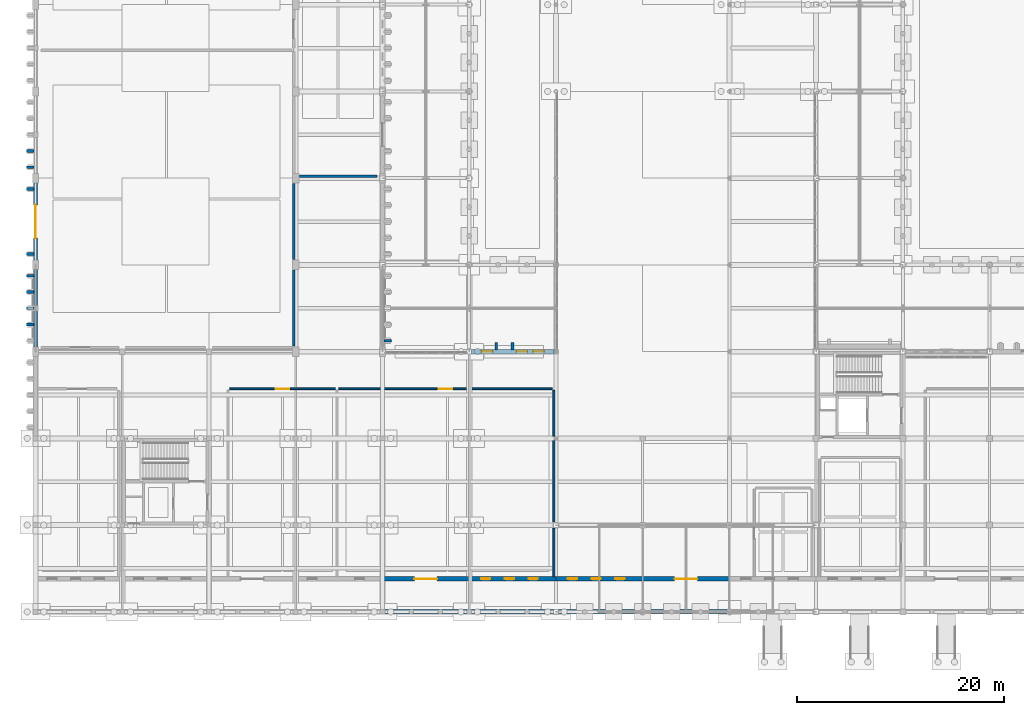
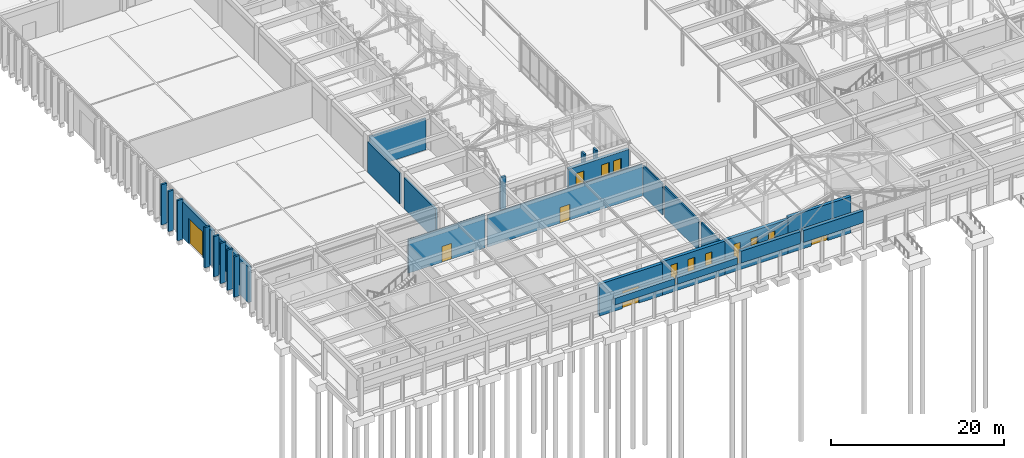
# One storey, part 108 of 143: 30 walls, 9 windows, 5 doors, 14 openings.
"""IFC4 building model written with IfcOpenShell, lengths in metres."""

from ifc_helpers import new_model, si_unit, direction, frame, frame_2d, origin, place, context, subcontext, project, spatial, rectangle, extrude, material, layer, layer_set, type_object, element, fill, save


model = new_model("IFC4")

# Units and contexts
model_context = context("Model", 3, precision=1e-05, world=origin(), true_north=direction((0.0, 1.0)))
body_context = subcontext(model_context, "Body", "Model", "MODEL_VIEW")
ifc_project = project(units=[si_unit("LENGTHUNIT", "METRE"), si_unit("AREAUNIT", "SQUARE_METRE"), si_unit("VOLUMEUNIT", "CUBIC_METRE"), si_unit("PLANEANGLEUNIT", "RADIAN"), si_unit("MASSUNIT", "GRAM", prefix="KILO")], contexts=[model_context])

# Site, building, storey
site_placement = place(None, origin())
site = spatial("IfcSite", under=ifc_project, at=site_placement, CompositionType="ELEMENT")
building_placement = place(site_placement, origin())
building = spatial("IfcBuilding", under=site, at=building_placement, Name="Kveldsbrygga Polytechnic", CompositionType="ELEMENT")
storey_placement = place(building_placement, origin())
storey = spatial("IfcBuildingStorey", under=building, at=storey_placement, Name="L00", CompositionType="ELEMENT", Elevation=0.0)

# Wall
ifc_material_1 = material(Name="Fired clay brick masonry M10", Category="masonry")
ifc_layer_1 = layer(ifc_material_1, 0.419921875)
ifc_layer_set_1 = layer_set([ifc_layer_1], Name="Fired clay brick masonry M10")
wall_type_1 = type_object("IfcWallType", Name="EW-BRICK-420", PredefinedType="SOLIDWALL", material=ifc_layer_set_1)
wall_1_placement = place(storey_placement, frame((0.0, 25.635009765625, 0.0), z_axis=(0.0, 0.0, 1.0), x_axis=(0.0, 1.0, 0.0)))
element("IfcWall", 1, at=wall_1_placement, inside=storey, type_object=wall_type_1, Name="Exterior Brick Wall EW-L00-Y-00-03", PredefinedType="SOLIDWALL", context=body_context, shape_type="SweptSolid", body=[
    extrude(rectangle(XDim=7.530029296875, YDim=0.419921875, at=frame_2d((3.76513671875, 0.0))), origin(), (0.0, 0.0, 1.0), 5.0400390625),
])

# Wall, opening, door
wall_2_placement = place(storey_placement, frame((0.0, 34.034912109375, 0.0), z_axis=(0.0, 0.0, 1.0), x_axis=(0.0, 1.0, 0.0)))
wall_2 = element("IfcWall", 2, at=wall_2_placement, inside=storey, type_object=wall_type_1, Name="Exterior Brick Wall EW-L00-Y-00-04", PredefinedType="SOLIDWALL", context=body_context, shape_type="SweptSolid", body=[
    extrude(rectangle(XDim=7.530029296875, YDim=0.419921875, at=frame_2d((3.76513671875, 0.0))), origin(), (0.0, 0.0, 1.0), 5.0400390625),
])
opening_1_placement = place(wall_2_placement, frame((2.1650390625, 0.0, 0.0)))
opening_1 = element("IfcOpeningElement", 3, at=opening_1_placement, cuts=wall_2, Name="Opening WG-01", PredefinedType="OPENING", context=body_context, shape_type="SweptSolid", body=[
    extrude(rectangle(XDim=3.199951171875, YDim=3.60009765625, at=frame_2d((1.60009765625, 1.800048828125))), frame((0.0, 0.219970703125, 0.0), z_axis=(0.0, -1.0, 0.0), x_axis=(1.0, 0.0, 0.0)), (0.0, 0.0, 1.0), 0.43994140625),
])
ifc_material_2 = material(Name="Anodised aluminium AW-6060", Category="aluminium")
door_type_1 = type_object("IfcDoorType", Name="GT-WORK-320x360", OperationType="DOUBLE_DOOR_SINGLE_SWING", PredefinedType="GATE", material=ifc_material_2)
door_1_placement = place(opening_1_placement, origin())
door_1 = element("IfcDoor", 4, at=door_1_placement, inside=storey, type_object=door_type_1, Name="Workshop Industrial Gate WG-01", OperationType="DOUBLE_DOOR_SINGLE_SWING", OverallHeight=3.60009765625, OverallWidth=3.199951171875, PredefinedType="GATE", context=body_context, shape_type="SweptSolid", body=[
    extrude(rectangle(XDim=3.199951171875, YDim=3.60009765625, at=frame_2d((1.60009765625, 1.800048828125))), frame((0.0, 0.02490234375, 0.0), z_axis=(0.0, -1.0, 0.0), x_axis=(1.0, 0.0, 0.0)), (0.0, 0.0, 1.0), 0.050048828125),
])
fill(opening_1, door_1)

wall_3_placement = place(storey_placement, frame((33.60009765625, 3.199951171875, 0.0), z_axis=(0.0, 0.0, 1.0), x_axis=(1.0, 0.0, 0.0)))
wall_3 = element("IfcWall", 5, at=wall_3_placement, inside=storey, type_object=wall_type_1, Name="Colonnade Recessed Ground Wall EW-L00-X-04-00", PredefinedType="SOLIDWALL", context=body_context, shape_type="SweptSolid", body=[
    extrude(rectangle(XDim=8.39990234375, YDim=0.419921875, at=frame_2d((4.199951171875, 0.0))), origin(), (0.0, 0.0, 1.0), 4.489990234375),
])
opening_2_placement = place(wall_3_placement, frame((3.10009765625, 0.0, 0.0)))
opening_2 = element("IfcOpeningElement", 6, at=opening_2_placement, cuts=wall_3, Name="Opening ED-04", PredefinedType="OPENING", context=body_context, shape_type="SweptSolid", body=[
    extrude(rectangle(XDim=2.199951171875, YDim=2.39990234375, at=frame_2d((1.10009765625, 1.199951171875))), frame((0.0, 0.219970703125, 0.0), z_axis=(0.0, -1.0, 0.0), x_axis=(1.0, 0.0, 0.0)), (0.0, 0.0, 1.0), 0.43994140625),
])
door_type_2 = type_object("IfcDoorType", Name="ED-MAIN-220x240", OperationType="DOUBLE_DOOR_SINGLE_SWING", PredefinedType="DOOR", material=ifc_material_2)
door_2_placement = place(opening_2_placement, origin())
door_2 = element("IfcDoor", 7, at=door_2_placement, inside=storey, type_object=door_type_2, Name="Colonnade Entrance Door ED-04", OperationType="DOUBLE_DOOR_SINGLE_SWING", OverallHeight=2.39990234375, OverallWidth=2.199951171875, PredefinedType="DOOR", context=body_context, shape_type="SweptSolid", body=[
    extrude(rectangle(XDim=2.199951171875, YDim=2.39990234375, at=frame_2d((1.10009765625, 1.199951171875))), frame((0.0, 0.02490234375, 0.0), z_axis=(0.0, -1.0, 0.0), x_axis=(1.0, 0.0, 0.0)), (0.0, 0.0, 1.0), 0.050048828125),
])
fill(opening_2, door_2)

# Wall, openings, windows
wall_4_placement = place(storey_placement, frame((42.0, 3.199951171875, 0.0), z_axis=(0.0, 0.0, 1.0), x_axis=(1.0, 0.0, 0.0)))
wall_4 = element("IfcWall", 8, at=wall_4_placement, inside=storey, type_object=wall_type_1, Name="Colonnade Recessed Ground Wall EW-L00-X-05-00", PredefinedType="SOLIDWALL", context=body_context, shape_type="SweptSolid", body=[
    extrude(rectangle(XDim=8.39990234375, YDim=0.419921875, at=frame_2d((4.199951171875, 0.0))), origin(), (0.0, 0.0, 1.0), 4.739990234375),
])
opening_3_placement = place(wall_4_placement, frame((1.14990234375, 0.0, 0.85009765625)))
opening_3 = element("IfcOpeningElement", 9, at=opening_3_placement, cuts=wall_4, Name="Opening W-19", PredefinedType="OPENING", context=body_context, shape_type="SweptSolid", body=[
    extrude(rectangle(XDim=0.89990234375, YDim=3.0, at=frame_2d((0.449951171875, 1.5))), frame((0.0, 0.219970703125, 0.0), z_axis=(0.0, -1.0, 0.0), x_axis=(1.0, 0.0, 0.0)), (0.0, 0.0, 1.0), 0.43994140625),
])
opening_4_placement = place(wall_4_placement, frame((3.449951171875, 0.0, 0.85009765625)))
opening_4 = element("IfcOpeningElement", 10, at=opening_4_placement, cuts=wall_4, Name="Opening W-19", PredefinedType="OPENING", context=body_context, shape_type="SweptSolid", body=[
    extrude(rectangle(XDim=0.89990234375, YDim=3.0, at=frame_2d((0.449951171875, 1.5))), frame((0.0, 0.219970703125, 0.0), z_axis=(0.0, -1.0, 0.0), x_axis=(1.0, 0.0, 0.0)), (0.0, 0.0, 1.0), 0.43994140625),
])
opening_5_placement = place(wall_4_placement, frame((5.75, 0.0, 0.85009765625)))
opening_5 = element("IfcOpeningElement", 11, at=opening_5_placement, cuts=wall_4, Name="Opening W-19", PredefinedType="OPENING", context=body_context, shape_type="SweptSolid", body=[
    extrude(rectangle(XDim=0.89990234375, YDim=3.0, at=frame_2d((0.449951171875, 1.5))), frame((0.0, 0.219970703125, 0.0), z_axis=(0.0, -1.0, 0.0), x_axis=(1.0, 0.0, 0.0)), (0.0, 0.0, 1.0), 0.43994140625),
])
ifc_material_3 = material(Name="Insulated triple low-E glass", Category="glass")
window_type_1 = type_object("IfcWindowType", Name="WN-LANC-090x300", PartitioningType="DOUBLE_PANEL_VERTICAL", PredefinedType="WINDOW", material=ifc_material_3)
window_1_placement = place(opening_3_placement, origin())
window_1 = element("IfcWindow", 12, at=window_1_placement, inside=storey, type_object=window_type_1, Name="Colonnade Lancet Window WIN-L00-X-05-00-1", OverallHeight=3.0, OverallWidth=0.89990234375, PartitioningType="DOUBLE_PANEL_VERTICAL", PredefinedType="WINDOW", context=body_context, shape_type="SweptSolid", body=[
    extrude(rectangle(XDim=0.89990234375, YDim=3.0, at=frame_2d((0.449951171875, 1.5))), frame((0.0, 0.030029296875, 0.0), z_axis=(0.0, -1.0, 0.0), x_axis=(1.0, 0.0, 0.0)), (0.0, 0.0, 1.0), 0.06005859375),
])
fill(opening_3, window_1)
window_2_placement = place(opening_4_placement, origin())
window_2 = element("IfcWindow", 13, at=window_2_placement, inside=storey, type_object=window_type_1, Name="Colonnade Lancet Window WIN-L00-X-05-00-2", OverallHeight=3.0, OverallWidth=0.89990234375, PartitioningType="DOUBLE_PANEL_VERTICAL", PredefinedType="WINDOW", context=body_context, shape_type="SweptSolid", body=[
    extrude(rectangle(XDim=0.89990234375, YDim=3.0, at=frame_2d((0.449951171875, 1.5))), frame((0.0, 0.030029296875, 0.0), z_axis=(0.0, -1.0, 0.0), x_axis=(1.0, 0.0, 0.0)), (0.0, 0.0, 1.0), 0.06005859375),
])
fill(opening_4, window_2)
window_3_placement = place(opening_5_placement, origin())
window_3 = element("IfcWindow", 14, at=window_3_placement, inside=storey, type_object=window_type_1, Name="Colonnade Lancet Window WIN-L00-X-05-00-3", OverallHeight=3.0, OverallWidth=0.89990234375, PartitioningType="DOUBLE_PANEL_VERTICAL", PredefinedType="WINDOW", context=body_context, shape_type="SweptSolid", body=[
    extrude(rectangle(XDim=0.89990234375, YDim=3.0, at=frame_2d((0.449951171875, 1.5))), frame((0.0, 0.030029296875, 0.0), z_axis=(0.0, -1.0, 0.0), x_axis=(1.0, 0.0, 0.0)), (0.0, 0.0, 1.0), 0.06005859375),
])
fill(opening_5, window_3)

wall_5_placement = place(storey_placement, frame((42.2099609375, 25.199951171875, 0.0), z_axis=(0.0, 0.0, 1.0), x_axis=(1.0, 0.0, 0.0)))
wall_5 = element("IfcWall", 15, at=wall_5_placement, inside=storey, type_object=wall_type_1, Name="Exterior Brick Wall EW-L00-X-05-03", PredefinedType="SOLIDWALL", context=body_context, shape_type="SweptSolid", body=[
    extrude(rectangle(XDim=8.04296875, YDim=0.419921875, at=frame_2d((4.021484375, 0.0))), origin(), (0.0, 0.0, 1.0), 4.389892578125),
])
opening_6_placement = place(wall_5_placement, frame((0.998291015625, 0.0, 0.75)))
opening_6 = element("IfcOpeningElement", 16, at=opening_6_placement, cuts=wall_5, Name="Opening W-38", PredefinedType="OPENING", context=body_context, shape_type="SweptSolid", body=[
    extrude(rectangle(XDim=1.06005859375, YDim=2.699951171875, at=frame_2d((0.530029296875, 1.35009765625))), frame((0.0, 0.219970703125, 0.0), z_axis=(0.0, -1.0, 0.0), x_axis=(1.0, 0.0, 0.0)), (0.0, 0.0, 1.0), 0.43994140625),
])
opening_7_placement = place(wall_5_placement, frame((4.376220703125, 0.0, 0.75)))
opening_7 = element("IfcOpeningElement", 17, at=opening_7_placement, cuts=wall_5, Name="Opening W-38", PredefinedType="OPENING", context=body_context, shape_type="SweptSolid", body=[
    extrude(rectangle(XDim=1.06005859375, YDim=2.699951171875, at=frame_2d((0.530029296875, 1.35009765625))), frame((0.0, 0.219970703125, 0.0), z_axis=(0.0, -1.0, 0.0), x_axis=(1.0, 0.0, 0.0)), (0.0, 0.0, 1.0), 0.43994140625),
])
opening_8_placement = place(wall_5_placement, frame((5.98486328125, 0.0, 0.75)))
opening_8 = element("IfcOpeningElement", 18, at=opening_8_placement, cuts=wall_5, Name="Opening W-38", PredefinedType="OPENING", context=body_context, shape_type="SweptSolid", body=[
    extrude(rectangle(XDim=1.06005859375, YDim=2.699951171875, at=frame_2d((0.530029296875, 1.35009765625))), frame((0.0, 0.219970703125, 0.0), z_axis=(0.0, -1.0, 0.0), x_axis=(1.0, 0.0, 0.0)), (0.0, 0.0, 1.0), 0.43994140625),
])
window_type_2 = type_object("IfcWindowType", Name="WN-LANC-106x270", PartitioningType="DOUBLE_PANEL_VERTICAL", PredefinedType="WINDOW", material=ifc_material_3)
window_4_placement = place(opening_6_placement, origin())
window_4 = element("IfcWindow", 19, at=window_4_placement, inside=storey, type_object=window_type_2, Name="Gothic Lancet Window WIN-L00-X-05-03-1", OverallHeight=2.699951171875, OverallWidth=1.06005859375, PartitioningType="DOUBLE_PANEL_VERTICAL", PredefinedType="WINDOW", context=body_context, shape_type="SweptSolid", body=[
    extrude(rectangle(XDim=1.06005859375, YDim=2.699951171875, at=frame_2d((0.530029296875, 1.35009765625))), frame((0.0, 0.030029296875, 0.0), z_axis=(0.0, -1.0, 0.0), x_axis=(1.0, 0.0, 0.0)), (0.0, 0.0, 1.0), 0.06005859375),
])
fill(opening_6, window_4)
window_5_placement = place(opening_7_placement, origin())
window_5 = element("IfcWindow", 20, at=window_5_placement, inside=storey, type_object=window_type_2, Name="Gothic Lancet Window WIN-L00-X-05-03-3", OverallHeight=2.699951171875, OverallWidth=1.06005859375, PartitioningType="DOUBLE_PANEL_VERTICAL", PredefinedType="WINDOW", context=body_context, shape_type="SweptSolid", body=[
    extrude(rectangle(XDim=1.06005859375, YDim=2.699951171875, at=frame_2d((0.530029296875, 1.35009765625))), frame((0.0, 0.030029296875, 0.0), z_axis=(0.0, -1.0, 0.0), x_axis=(1.0, 0.0, 0.0)), (0.0, 0.0, 1.0), 0.06005859375),
])
fill(opening_7, window_5)
window_6_placement = place(opening_8_placement, origin())
window_6 = element("IfcWindow", 21, at=window_6_placement, inside=storey, type_object=window_type_2, Name="Gothic Lancet Window WIN-L00-X-05-03-4", OverallHeight=2.699951171875, OverallWidth=1.06005859375, PartitioningType="DOUBLE_PANEL_VERTICAL", PredefinedType="WINDOW", context=body_context, shape_type="SweptSolid", body=[
    extrude(rectangle(XDim=1.06005859375, YDim=2.699951171875, at=frame_2d((0.530029296875, 1.35009765625))), frame((0.0, 0.030029296875, 0.0), z_axis=(0.0, -1.0, 0.0), x_axis=(1.0, 0.0, 0.0)), (0.0, 0.0, 1.0), 0.06005859375),
])
fill(opening_8, window_6)

wall_6_placement = place(storey_placement, frame((50.39990234375, 3.199951171875, 0.0), z_axis=(0.0, 0.0, 1.0), x_axis=(1.0, 0.0, 0.0)))
wall_6 = element("IfcWall", 22, at=wall_6_placement, inside=storey, type_object=wall_type_1, Name="Colonnade Recessed Ground Wall EW-L00-X-06-00", PredefinedType="SOLIDWALL", context=body_context, shape_type="SweptSolid", body=[
    extrude(rectangle(XDim=8.400146484375, YDim=0.419921875, at=frame_2d((4.2001953125, 0.0))), origin(), (0.0, 0.0, 1.0), 4.830078125),
])
opening_9_placement = place(wall_6_placement, frame((1.14990234375, 0.0, 0.85009765625)))
opening_9 = element("IfcOpeningElement", 23, at=opening_9_placement, cuts=wall_6, Name="Opening W-19", PredefinedType="OPENING", context=body_context, shape_type="SweptSolid", body=[
    extrude(rectangle(XDim=0.89990234375, YDim=3.0, at=frame_2d((0.449951171875, 1.5))), frame((0.0, 0.219970703125, 0.0), z_axis=(0.0, -1.0, 0.0), x_axis=(1.0, 0.0, 0.0)), (0.0, 0.0, 1.0), 0.43994140625),
])
opening_10_placement = place(wall_6_placement, frame((3.449951171875, 0.0, 0.85009765625)))
opening_10 = element("IfcOpeningElement", 24, at=opening_10_placement, cuts=wall_6, Name="Opening W-19", PredefinedType="OPENING", context=body_context, shape_type="SweptSolid", body=[
    extrude(rectangle(XDim=0.89990234375, YDim=3.0, at=frame_2d((0.449951171875, 1.5))), frame((0.0, 0.219970703125, 0.0), z_axis=(0.0, -1.0, 0.0), x_axis=(1.0, 0.0, 0.0)), (0.0, 0.0, 1.0), 0.43994140625),
])
opening_11_placement = place(wall_6_placement, frame((5.75, 0.0, 0.85009765625)))
opening_11 = element("IfcOpeningElement", 25, at=opening_11_placement, cuts=wall_6, Name="Opening W-19", PredefinedType="OPENING", context=body_context, shape_type="SweptSolid", body=[
    extrude(rectangle(XDim=0.89990234375, YDim=3.0, at=frame_2d((0.449951171875, 1.5))), frame((0.0, 0.219970703125, 0.0), z_axis=(0.0, -1.0, 0.0), x_axis=(1.0, 0.0, 0.0)), (0.0, 0.0, 1.0), 0.43994140625),
])
window_7_placement = place(opening_9_placement, origin())
window_7 = element("IfcWindow", 26, at=window_7_placement, inside=storey, type_object=window_type_1, Name="Colonnade Lancet Window WIN-L00-X-06-00-1", OverallHeight=3.0, OverallWidth=0.89990234375, PartitioningType="DOUBLE_PANEL_VERTICAL", PredefinedType="WINDOW", context=body_context, shape_type="SweptSolid", body=[
    extrude(rectangle(XDim=0.89990234375, YDim=3.0, at=frame_2d((0.449951171875, 1.5))), frame((0.0, 0.030029296875, 0.0), z_axis=(0.0, -1.0, 0.0), x_axis=(1.0, 0.0, 0.0)), (0.0, 0.0, 1.0), 0.06005859375),
])
fill(opening_9, window_7)
window_8_placement = place(opening_10_placement, origin())
window_8 = element("IfcWindow", 27, at=window_8_placement, inside=storey, type_object=window_type_1, Name="Colonnade Lancet Window WIN-L00-X-06-00-2", OverallHeight=3.0, OverallWidth=0.89990234375, PartitioningType="DOUBLE_PANEL_VERTICAL", PredefinedType="WINDOW", context=body_context, shape_type="SweptSolid", body=[
    extrude(rectangle(XDim=0.89990234375, YDim=3.0, at=frame_2d((0.449951171875, 1.5))), frame((0.0, 0.030029296875, 0.0), z_axis=(0.0, -1.0, 0.0), x_axis=(1.0, 0.0, 0.0)), (0.0, 0.0, 1.0), 0.06005859375),
])
fill(opening_10, window_8)
window_9_placement = place(opening_11_placement, origin())
window_9 = element("IfcWindow", 28, at=window_9_placement, inside=storey, type_object=window_type_1, Name="Colonnade Lancet Window WIN-L00-X-06-00-3", OverallHeight=3.0, OverallWidth=0.89990234375, PartitioningType="DOUBLE_PANEL_VERTICAL", PredefinedType="WINDOW", context=body_context, shape_type="SweptSolid", body=[
    extrude(rectangle(XDim=0.89990234375, YDim=3.0, at=frame_2d((0.449951171875, 1.5))), frame((0.0, 0.030029296875, 0.0), z_axis=(0.0, -1.0, 0.0), x_axis=(1.0, 0.0, 0.0)), (0.0, 0.0, 1.0), 0.06005859375),
])
fill(opening_11, window_9)

# Wall, opening, door
wall_7_placement = place(storey_placement, frame((58.800048828125, 3.199951171875, 0.0), z_axis=(0.0, 0.0, 1.0), x_axis=(1.0, 0.0, 0.0)))
wall_7 = element("IfcWall", 29, at=wall_7_placement, inside=storey, type_object=wall_type_1, Name="Colonnade Recessed Ground Wall EW-L00-X-07-00", PredefinedType="SOLIDWALL", context=body_context, shape_type="SweptSolid", body=[
    extrude(rectangle(XDim=8.39990234375, YDim=0.419921875, at=frame_2d((4.199951171875, 0.0))), origin(), (0.0, 0.0, 1.0), 5.139892578125),
])
opening_12_placement = place(wall_7_placement, frame((3.10009765625, 0.0, 0.0)))
opening_12 = element("IfcOpeningElement", 30, at=opening_12_placement, cuts=wall_7, Name="Opening ED-06", PredefinedType="OPENING", context=body_context, shape_type="SweptSolid", body=[
    extrude(rectangle(XDim=2.199951171875, YDim=2.39990234375, at=frame_2d((1.10009765625, 1.199951171875))), frame((0.0, 0.219970703125, 0.0), z_axis=(0.0, -1.0, 0.0), x_axis=(1.0, 0.0, 0.0)), (0.0, 0.0, 1.0), 0.43994140625),
])
door_3_placement = place(opening_12_placement, origin())
door_3 = element("IfcDoor", 31, at=door_3_placement, inside=storey, type_object=door_type_2, Name="Colonnade Entrance Door ED-06", OperationType="DOUBLE_DOOR_SINGLE_SWING", OverallHeight=2.39990234375, OverallWidth=2.199951171875, PredefinedType="DOOR", context=body_context, shape_type="SweptSolid", body=[
    extrude(rectangle(XDim=2.199951171875, YDim=2.39990234375, at=frame_2d((1.10009765625, 1.199951171875))), frame((0.0, 0.02490234375, 0.0), z_axis=(0.0, -1.0, 0.0), x_axis=(1.0, 0.0, 0.0)), (0.0, 0.0, 1.0), 0.050048828125),
])
fill(opening_12, door_3)

# Walls
ifc_layer_2 = layer(ifc_material_1, 0.260009765625)
ifc_layer_set_2 = layer_set([ifc_layer_2], Name="Fired clay brick masonry M10")
wall_type_2 = type_object("IfcWallType", Name="EW-BUTT-260", PredefinedType="SOLIDWALL", material=ifc_layer_set_2)
for number, where, z_axis, x_axis, name in (
    (32, (-0.1650390625, 27.820068359375, -0.25), (0.0, 0.0, 1.0), (-1.0, 0.0, 0.0), "Gothic Brick Buttress Pier BUTT-L00-Y-00-03-2"),
    (33, (-0.1650390625, 29.39990234375, -0.25), (0.0, 0.0, 1.0), (-1.0, 0.0, 0.0), "Gothic Brick Buttress Pier BUTT-L00-Y-00-03-3"),
    (34, (-0.1650390625, 30.97998046875, -0.25), (0.0, 0.0, 1.0), (-1.0, 0.0, 0.0), "Gothic Brick Buttress Pier BUTT-L00-Y-00-03-4"),
    (35, (-0.1650390625, 32.550048828125, -0.25), (0.0, 0.0, 1.0), (-1.0, 0.0, 0.0), "Gothic Brick Buttress Pier BUTT-L00-Y-00-03-5"),
    (36, (-0.1650390625, 34.64990234375, -0.25), (0.0, 0.0, 1.0), (-1.0, 0.0, 0.0), "Gothic Brick Buttress Pier BUTT-L00-Y-00-04-1"),
    (37, (-0.1650390625, 40.949951171875, -0.25), (0.0, 0.0, 1.0), (-1.0, 0.0, 0.0), "Gothic Brick Buttress Pier BUTT-L00-Y-00-04-5"),
    (38, (-0.1650390625, 43.050048828125, -0.25), (0.0, 0.0, 1.0), (-1.0, 0.0, 0.0), "Gothic Brick Buttress Pier BUTT-L00-Y-00-05-1"),
    (39, (-0.1650390625, 44.6201171875, -0.25), (0.0, 0.0, 1.0), (-1.0, 0.0, 0.0), "Gothic Brick Buttress Pier BUTT-L00-Y-00-05-2"),
):
    element("IfcWall", number, at=place(storey_placement, frame(where, z_axis=z_axis, x_axis=x_axis)), inside=storey, type_object=wall_type_2, Name=name, PredefinedType="SOLIDWALL", context=body_context, shape_type="SweptSolid", body=[
        extrude(rectangle(XDim=0.699951171875, YDim=0.260009765625, at=frame_2d((0.35009765625, 0.0))), origin(), (0.0, 0.0, 1.0), 5.68994140625),
    ])
wall_8_placement = place(storey_placement, frame((33.764892578125, 26.25, -0.25), z_axis=(0.0, 0.0, 1.0), x_axis=(1.0, 0.0, 0.0)))
element("IfcWall", 40, at=wall_8_placement, inside=storey, type_object=wall_type_2, Name="Gothic Brick Buttress Pier BUTT-L00-Y-04-03-1", PredefinedType="SOLIDWALL", context=body_context, shape_type="SweptSolid", body=[
    extrude(rectangle(XDim=0.7001953125, YDim=0.260009765625, at=frame_2d((0.35009765625, 0.0))), origin(), (0.0, 0.0, 1.0), 5.68994140625),
])
for number, where, z_axis, x_axis, name in (
    (41, (44.6201171875, 25.364990234375, -0.320068359375), (0.0, 0.0, 1.0), (0.0, 1.0, 0.0), "Gothic Brick Buttress Pier BUTT-L00-X-05-03-2"),
    (42, (46.199951171875, 25.364990234375, -0.320068359375), (0.0, 0.0, 1.0), (0.0, 1.0, 0.0), "Gothic Brick Buttress Pier BUTT-L00-X-05-03-3"),
):
    element("IfcWall", number, at=place(storey_placement, frame(where, z_axis=z_axis, x_axis=x_axis)), inside=storey, type_object=wall_type_2, Name=name, PredefinedType="SOLIDWALL", context=body_context, shape_type="SweptSolid", body=[
        extrude(rectangle(XDim=0.699951171875, YDim=0.260009765625, at=frame_2d((0.35009765625, 0.0))), origin(), (0.0, 0.0, 1.0), 5.760009765625),
    ])
ifc_material_4 = material(Name="Iddefjord granite ashlar", Category="masonry")
ifc_layer_3 = layer(ifc_material_4, 0.449951171875)
ifc_layer_set_3 = layer_set([ifc_layer_3], Name="Iddefjord granite ashlar")
wall_type_3 = type_object("IfcWallType", Name="EW-GRAN-450", PredefinedType="SOLIDWALL", material=ifc_layer_set_3)
wall_9_placement = place(storey_placement, frame((33.81005859375, 0.0, 3.455078125), z_axis=(0.0, 0.0, 1.0), x_axis=(1.0, 0.0, 0.0)))
element("IfcWall", 43, at=wall_9_placement, inside=storey, type_object=wall_type_3, Name="Harbour Colonnade Granite Arch Header EW-PROM-HDR-04", PredefinedType="SOLIDWALL", context=body_context, shape_type="SweptSolid", body=[
    extrude(rectangle(XDim=7.994873046875, YDim=0.449951171875, at=frame_2d((3.99755859375, 0.0))), origin(), (0.0, 0.0, 1.0), 0.94482421875),
])
wall_10_placement = place(storey_placement, frame((42.195068359375, 0.0, 3.455078125), z_axis=(0.0, 0.0, 1.0), x_axis=(1.0, 0.0, 0.0)))
element("IfcWall", 44, at=wall_10_placement, inside=storey, type_object=wall_type_3, Name="Harbour Colonnade Granite Arch Header EW-PROM-HDR-05", PredefinedType="SOLIDWALL", context=body_context, shape_type="SweptSolid", body=[
    extrude(rectangle(XDim=7.97998046875, YDim=0.449951171875, at=frame_2d((3.989990234375, 0.0))), origin(), (0.0, 0.0, 1.0), 0.94482421875),
])
wall_11_placement = place(storey_placement, frame((50.625, 0.0, 3.455078125), z_axis=(0.0, 0.0, 1.0), x_axis=(1.0, 0.0, 0.0)))
element("IfcWall", 45, at=wall_11_placement, inside=storey, type_object=wall_type_3, Name="Harbour Colonnade Granite Arch Header EW-PROM-HDR-06", PredefinedType="SOLIDWALL", context=body_context, shape_type="SweptSolid", body=[
    extrude(rectangle(XDim=7.97998046875, YDim=0.449951171875, at=frame_2d((3.989990234375, 0.0))), origin(), (0.0, 0.0, 1.0), 1.684814453125),
])
wall_12_placement = place(storey_placement, frame((58.9951171875, 0.0, 3.455078125), z_axis=(0.0, 0.0, 1.0), x_axis=(1.0, 0.0, 0.0)))
element("IfcWall", 46, at=wall_12_placement, inside=storey, type_object=wall_type_3, Name="Harbour Colonnade Granite Arch Header EW-PROM-HDR-07", PredefinedType="SOLIDWALL", context=body_context, shape_type="SweptSolid", body=[
    extrude(rectangle(XDim=7.994873046875, YDim=0.449951171875, at=frame_2d((3.99755859375, 0.0))), origin(), (0.0, 0.0, 1.0), 1.684814453125),
])
ifc_layer_4 = layer(ifc_material_1, 0.239990234375)
ifc_layer_set_4 = layer_set([ifc_layer_4], Name="Fired clay brick masonry M10")
wall_type_4 = type_object("IfcWallType", Name="IW-COMP-240", PredefinedType="PARTITIONING", material=ifc_layer_set_4)
wall_13_placement = place(storey_placement, frame((25.0, 25.75, 0.0), z_axis=(0.0, 0.0, 1.0), x_axis=(0.0, 1.0, 0.0)))
element("IfcWall", 47, at=wall_13_placement, inside=storey, type_object=wall_type_4, Name="Partition Wall IW-SP-L00-WK1-E1", PredefinedType="PARTITIONING", context=body_context, shape_type="SweptSolid", body=[
    extrude(rectangle(XDim=7.340087890625, YDim=0.239990234375, at=frame_2d((3.669921875, 0.0))), origin(), (0.0, 0.0, 1.0), 4.35009765625),
])
wall_14_placement = place(storey_placement, frame((25.0, 34.110107421875, 0.0), z_axis=(0.0, 0.0, 1.0), x_axis=(0.0, 1.0, 0.0)))
element("IfcWall", 48, at=wall_14_placement, inside=storey, type_object=wall_type_4, Name="Partition Wall IW-SP-L00-WK1-E2", PredefinedType="PARTITIONING", context=body_context, shape_type="SweptSolid", body=[
    extrude(rectangle(XDim=7.3798828125, YDim=0.239990234375, at=frame_2d((3.68994140625, 0.0))), origin(), (0.0, 0.0, 1.0), 4.35009765625),
])
wall_15_placement = place(storey_placement, frame((25.550048828125, 42.199951171875, 0.0), z_axis=(0.0, 0.0, 1.0), x_axis=(1.0, 0.0, 0.0)))
element("IfcWall", 49, at=wall_15_placement, inside=storey, type_object=wall_type_4, Name="Partition Wall IW-SP-L00-WKPREP-S1", PredefinedType="PARTITIONING", context=body_context, shape_type="SweptSolid", body=[
    extrude(rectangle(XDim=7.5, YDim=0.239990234375, at=frame_2d((3.75, 0.0))), origin(), (0.0, 0.0, 1.0), 4.419921875),
])

# Wall, opening, door
ifc_material_5 = material(Name="Gypsum acoustic stud partition")
ifc_layer_5 = layer(ifc_material_5, 0.179931640625)
ifc_layer_set_5 = layer_set([ifc_layer_5], Name="Gypsum acoustic stud partition")
wall_type_5 = type_object("IfcWallType", Name="IW-CORR-180", PredefinedType="PARTITIONING", material=ifc_layer_set_5)
wall_16_placement = place(storey_placement, frame((29.3798828125, 21.60009765625, 0.0), z_axis=(0.0, 0.0, 1.0), x_axis=(1.0, 0.0, 0.0)))
wall_16 = element("IfcWall", 50, at=wall_16_placement, inside=storey, type_object=wall_type_5, Name="Partition Wall IW-SP-L00-BOOK-N1", PredefinedType="PARTITIONING", context=body_context, shape_type="SweptSolid", body=[
    extrude(rectangle(XDim=20.670166015625, YDim=0.179931640625, at=frame_2d((10.3349609375, 0.0))), origin(), (0.0, 0.0, 1.0), 4.489990234375),
])
opening_13_placement = place(wall_16_placement, frame((9.68505859375, 0.0, 0.0)))
opening_13 = element("IfcOpeningElement", 51, at=opening_13_placement, cuts=wall_16, Name="Opening ID-L00-023", PredefinedType="OPENING", context=body_context, shape_type="SweptSolid", body=[
    extrude(rectangle(XDim=1.300048828125, YDim=2.199951171875, at=frame_2d((0.64990234375, 1.10009765625))), frame((0.0, 0.10009765625, 0.0), z_axis=(0.0, -1.0, 0.0), x_axis=(1.0, 0.0, 0.0)), (0.0, 0.0, 1.0), 0.199951171875),
])
ifc_material_6 = material(Name="Acoustic oak timber", Category="wood")
door_type_3 = type_object("IfcDoorType", Name="ID-STD-130x220", OperationType="NOTDEFINED", PredefinedType="DOOR", material=ifc_material_6)
door_4_placement = place(opening_13_placement, origin())
door_4 = element("IfcDoor", 52, at=door_4_placement, inside=storey, type_object=door_type_3, Name="Interior Door ID-L00-023", OperationType="SINGLE_SWING_RIGHT", OverallHeight=2.199951171875, OverallWidth=1.300048828125, PredefinedType="DOOR", context=body_context, shape_type="SweptSolid", body=[
    extrude(rectangle(XDim=1.300048828125, YDim=2.199951171875, at=frame_2d((0.64990234375, 1.10009765625))), frame((0.0, 0.02490234375, 0.0), z_axis=(0.0, -1.0, 0.0), x_axis=(1.0, 0.0, 0.0)), (0.0, 0.0, 1.0), 0.050048828125),
])
fill(opening_13, door_4)

# Walls
wall_17_placement = place(storey_placement, frame((50.199951171875, 3.3798828125, 0.0), z_axis=(0.0, 0.0, 1.0), x_axis=(0.0, 1.0, 0.0)))
element("IfcWall", 53, at=wall_17_placement, inside=storey, type_object=wall_type_5, Name="Partition Wall IW-SP-L00-BOOK-E1", PredefinedType="PARTITIONING", context=body_context, shape_type="SweptSolid", body=[
    extrude(rectangle(XDim=4.7001953125, YDim=0.179931640625, at=frame_2d((2.35009765625, 0.0))), origin(), (0.0, 0.0, 1.0), 4.389892578125),
])
wall_18_placement = place(storey_placement, frame((50.199951171875, 8.719970703125, 0.0), z_axis=(0.0, 0.0, 1.0), x_axis=(0.0, 1.0, 0.0)))
element("IfcWall", 54, at=wall_18_placement, inside=storey, type_object=wall_type_5, Name="Partition Wall IW-SP-L00-BOOK-E2", PredefinedType="PARTITIONING", context=body_context, shape_type="SweptSolid", body=[
    extrude(rectangle(XDim=7.85791015625, YDim=0.179931640625, at=frame_2d((3.928955078125, 0.0))), origin(), (0.0, 0.0, 1.0), 4.360107421875),
])
wall_19_placement = place(storey_placement, frame((50.199951171875, 17.02197265625, 0.0), z_axis=(0.0, 0.0, 1.0), x_axis=(0.0, 1.0, 0.0)))
element("IfcWall", 55, at=wall_19_placement, inside=storey, type_object=wall_type_5, Name="Partition Wall IW-SP-L00-BOOK-E3", PredefinedType="PARTITIONING", context=body_context, shape_type="SweptSolid", body=[
    extrude(rectangle(XDim=4.427978515625, YDim=0.179931640625, at=frame_2d((2.2138671875, 0.0))), origin(), (0.0, 0.0, 1.0), 4.360107421875),
])

# Wall, opening, door
ifc_layer_6 = layer(ifc_material_5, 0.159912109375)
ifc_layer_set_6 = layer_set([ifc_layer_6], Name="Gypsum acoustic stud partition")
wall_type_6 = type_object("IfcWallType", Name="IW-STD-160", PredefinedType="PARTITIONING", material=ifc_layer_set_6)
wall_20_placement = place(storey_placement, frame((18.800048828125, 21.60009765625, 0.0), z_axis=(0.0, 0.0, 1.0), x_axis=(1.0, 0.0, 0.0)))
wall_20 = element("IfcWall", 56, at=wall_20_placement, inside=storey, type_object=wall_type_6, Name="Partition Wall IW-SP-L00-FABLAB-N1", PredefinedType="PARTITIONING", context=body_context, shape_type="SweptSolid", body=[
    extrude(rectangle(XDim=10.25, YDim=0.159912109375, at=frame_2d((5.125, 0.0))), origin(), (0.0, 0.0, 1.0), 4.739990234375),
])
opening_14_placement = place(wall_20_placement, frame((4.47509765625, 0.0, 0.0)))
opening_14 = element("IfcOpeningElement", 57, at=opening_14_placement, cuts=wall_20, Name="Opening ID-L00-022", PredefinedType="OPENING", context=body_context, shape_type="SweptSolid", body=[
    extrude(rectangle(XDim=1.300048828125, YDim=2.199951171875, at=frame_2d((0.64990234375, 1.10009765625))), frame((0.0, 0.08984375, 0.0), z_axis=(0.0, -1.0, 0.0), x_axis=(1.0, 0.0, 0.0)), (0.0, 0.0, 1.0), 0.179931640625),
])
door_5_placement = place(opening_14_placement, origin())
door_5 = element("IfcDoor", 58, at=door_5_placement, inside=storey, type_object=door_type_3, Name="Interior Door ID-L00-022", OperationType="SINGLE_SWING_LEFT", OverallHeight=2.199951171875, OverallWidth=1.300048828125, PredefinedType="DOOR", context=body_context, shape_type="SweptSolid", body=[
    extrude(rectangle(XDim=1.300048828125, YDim=2.199951171875, at=frame_2d((0.64990234375, 1.10009765625))), frame((0.0, 0.02490234375, 0.0), z_axis=(0.0, -1.0, 0.0), x_axis=(1.0, 0.0, 0.0)), (0.0, 0.0, 1.0), 0.050048828125),
])
fill(opening_14, door_5)

save(model, "model.ifc")
